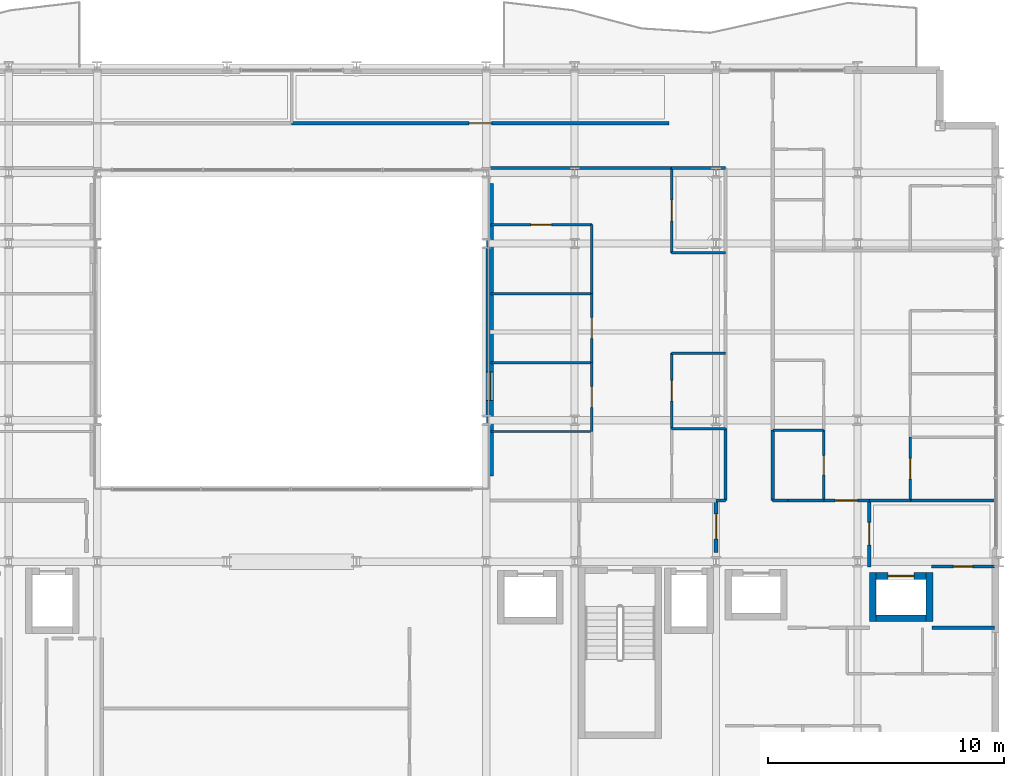
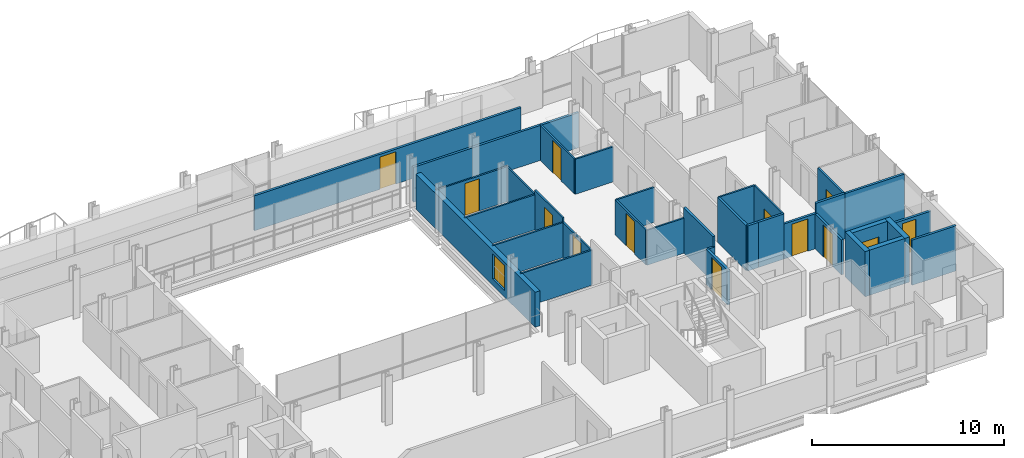
# One storey, part 35 of 41: 35 walls, 13 doors, 1 window, 14 openings.
"""IFC4 building model written with IfcOpenShell, lengths in metres."""

from ifc_helpers import new_model, si_unit, direction, frame, frame_2d, origin, place, context, subcontext, project, spatial, rectangle, extrude, material, layer, layer_set, type_object, element, fill, save


model = new_model("IFC4")

# Units and contexts
model_context = context("Model", 3, precision=1e-05, world=origin(), true_north=direction((0.0, 1.0)))
body_context = subcontext(model_context, "Body", "Model", "MODEL_VIEW")
ifc_project = project(units=[si_unit("LENGTHUNIT", "METRE"), si_unit("AREAUNIT", "SQUARE_METRE"), si_unit("VOLUMEUNIT", "CUBIC_METRE"), si_unit("PLANEANGLEUNIT", "RADIAN"), si_unit("MASSUNIT", "GRAM", prefix="KILO")], contexts=[model_context])

# Site, building, storey
site_placement = place(None, origin())
site = spatial("IfcSite", under=ifc_project, at=site_placement, CompositionType="ELEMENT")
building_placement = place(site_placement, origin())
building = spatial("IfcBuilding", under=site, at=building_placement, Name="Brevholm Reach", CompositionType="ELEMENT")
storey_placement = place(building_placement, frame((0.0, 0.0, 74.5)))
storey = spatial("IfcBuildingStorey", under=building, at=storey_placement, Name="L21", CompositionType="ELEMENT", Elevation=74.5)

# Walls
ifc_material_1 = material(Name="Concrete C50/60", Category="concrete")
ifc_layer_1 = layer(ifc_material_1, 0.280029296875)
ifc_layer_set_1 = layer_set([ifc_layer_1], Name="Concrete C50/60")
wall_type_1 = type_object("IfcWallType", Name="WAL-COR-280", PredefinedType="SHEAR", material=ifc_layer_set_1)
for number, where, z_axis, x_axis, name in (
    (1, (54.64990234375, 7.4599609375, 0.0), (0.0, 0.0, 1.0), (0.0, 1.0, 0.0), "L21 Lift PL-L2 Shaft Wall W"),
    (2, (57.050048828125, 7.4599609375, 0.0), (0.0, 0.0, 1.0), (0.0, 1.0, 0.0), "L21 Lift PL-L2 Shaft Wall E"),
):
    element("IfcWall", number, at=place(storey_placement, frame(where, z_axis=z_axis, x_axis=x_axis)), inside=storey, type_object=wall_type_1, Name=name, PredefinedType="SHEAR", context=body_context, shape_type="SweptSolid", body=[
        extrude(rectangle(XDim=2.080078125, YDim=0.280029296875, at=frame_2d((1.0400390625, 0.0))), origin(), (0.0, 0.0, 1.0), 2.8701171875),
    ])
wall_1_placement = place(storey_placement, frame((54.7900390625, 7.60009765625, 0.0), z_axis=(0.0, 0.0, 1.0), x_axis=(1.0, 0.0, 0.0)))
element("IfcWall", 3, at=wall_1_placement, inside=storey, type_object=wall_type_1, Name="L21 Lift PL-L2 Shaft Wall S", PredefinedType="SHEAR", context=body_context, shape_type="SweptSolid", body=[
    extrude(rectangle(XDim=2.119873046875, YDim=0.280029296875, at=frame_2d((1.06005859375, 0.0))), origin(), (0.0, 0.0, 1.0), 2.8701171875),
])

# Wall, opening, door
wall_2_placement = place(storey_placement, frame((54.7900390625, 9.39990234375, 0.0), z_axis=(0.0, 0.0, 1.0), x_axis=(1.0, 0.0, 0.0)))
wall_2 = element("IfcWall", 4, at=wall_2_placement, inside=storey, type_object=wall_type_1, Name="L21 Lift PL-L2 Shaft Wall N", PredefinedType="SHEAR", context=body_context, shape_type="SweptSolid", body=[
    extrude(rectangle(XDim=2.119873046875, YDim=0.280029296875, at=frame_2d((1.06005859375, 0.0))), origin(), (0.0, 0.0, 1.0), 2.8701171875),
])
opening_1_placement = place(wall_2_placement, frame((0.510009765625, 0.0, 0.0)))
opening_1 = element("IfcOpeningElement", 5, at=opening_1_placement, cuts=wall_2, Name="Opening LD-PL-L2", PredefinedType="OPENING", context=body_context, shape_type="SweptSolid", body=[
    extrude(rectangle(XDim=1.10009765625, YDim=2.06005859375, at=frame_2d((0.550048828125, 1.030029296875))), frame((0.0, 0.14990234375, 0.0), z_axis=(0.0, -1.0, 0.0), x_axis=(1.0, 0.0, 0.0)), (0.0, 0.0, 1.0), 0.300048828125),
])
ifc_material_2 = material(Name="Brushed Stainless Steel Fire-Rated Sliding Lift Door", Category="steel")
door_type_1 = type_object("IfcDoorType", Name="DOR-LFT-1100", OperationType="NOTDEFINED", PredefinedType="DOOR", material=ifc_material_2)
door_1_placement = place(opening_1_placement, origin())
door_1 = element("IfcDoor", 6, at=door_1_placement, inside=storey, type_object=door_type_1, Name="L21 Lift PL-L2 Sliding Landing Door", OperationType="SLIDING_TO_RIGHT", OverallHeight=2.06005859375, OverallWidth=1.10009765625, PredefinedType="DOOR", context=body_context, shape_type="SweptSolid", body=[
    extrude(rectangle(XDim=1.10009765625, YDim=2.06005859375, at=frame_2d((0.550048828125, 1.030029296875))), frame((0.0, 0.02490234375, 0.0), z_axis=(0.0, -1.0, 0.0), x_axis=(1.0, 0.0, 0.0)), (0.0, 0.0, 1.0), 0.050048828125),
])
fill(opening_1, door_1)

# Wall, opening, window
ifc_material_3 = material(Name="Concrete C40/50", Category="concrete")
ifc_layer_2 = layer(ifc_material_3, 0.300048828125)
ifc_layer_set_2 = layer_set([ifc_layer_2], Name="Concrete C40/50")
wall_type_2 = type_object("IfcWallType", Name="WAL-EXT-300", PredefinedType="STANDARD", material=ifc_layer_set_2)
wall_3_placement = place(storey_placement, frame((38.39990234375, 13.64990234375, 0.0), z_axis=(0.0, 0.0, 1.0), x_axis=(0.0, 1.0, 0.0)))
wall_3 = element("IfcWall", 7, at=wall_3_placement, inside=storey, type_object=wall_type_2, Name="L21 Facade Wall WAL-L21-AT-E", PredefinedType="STANDARD", context=body_context, shape_type="SweptSolid", body=[
    extrude(rectangle(XDim=12.400146484375, YDim=0.300048828125, at=frame_2d((6.2001953125, 0.0))), origin(), (0.0, 0.0, 1.0), 2.224853515625),
])
opening_2_placement = place(wall_3_placement, frame((3.199951171875, 0.0, 0.405029296875)))
opening_2 = element("IfcOpeningElement", 8, at=opening_2_placement, cuts=wall_3, Name="Opening WN-08", PredefinedType="OPENING", context=body_context, shape_type="SweptSolid", body=[
    extrude(rectangle(XDim=1.199951171875, YDim=1.60009765625, at=frame_2d((0.60009765625, 0.800048828125))), frame((0.0, 0.159912109375, 0.0), z_axis=(0.0, -1.0, 0.0), x_axis=(1.0, 0.0, 0.0)), (0.0, 0.0, 1.0), 0.320068359375),
])
ifc_material_4 = material(Name="Dark Anodised Aluminium and Solar-Control IGU Glass", Category="aluminium")
window_type = type_object("IfcWindowType", Name="WIN-RES-1200", PartitioningType="SINGLE_PANEL", PredefinedType="WINDOW", material=ifc_material_4)
window_placement = place(opening_2_placement, origin())
window = element("IfcWindow", 9, at=window_placement, inside=storey, type_object=window_type, Name="L21 Window WIN-L21-AT-E1", OverallHeight=1.60009765625, OverallWidth=1.199951171875, PartitioningType="SINGLE_PANEL", PredefinedType="WINDOW", context=body_context, shape_type="SweptSolid", body=[
    extrude(rectangle(XDim=1.199951171875, YDim=1.60009765625, at=frame_2d((0.60009765625, 0.800048828125))), frame((0.0, 0.030029296875, 0.0), z_axis=(0.0, -1.0, 0.0), x_axis=(1.0, 0.0, 0.0)), (0.0, 0.0, 1.0), 0.06005859375),
])
fill(opening_2, window)

# Walls
ifc_material_5 = material(Name="Moisture-Resistant Acoustic Gypsum Stud Partition 100 mm", Category="gypsum")
ifc_layer_3 = layer(ifc_material_5, 0.10009765625)
ifc_layer_set_3 = layer_set([ifc_layer_3], Name="Moisture-Resistant Acoustic Gypsum Stud Partition 100 mm")
wall_type_3 = type_object("IfcWallType", Name="WAL-PRT-100", PredefinedType="PARTITIONING", material=ifc_layer_set_3)
for number, where, z_axis, x_axis, name in (
    (10, (46.112060546875, 15.64990234375, 0.0), (0.0, 0.0, 1.0), (1.0, 0.0, 0.0), "L21 Internal Partition 120"),
    (11, (46.112060546875, 18.85009765625, 0.0), (0.0, 0.0, 1.0), (1.0, 0.0, 0.0), "L21 Internal Partition 122"),
):
    element("IfcWall", number, at=place(storey_placement, frame(where, z_axis=z_axis, x_axis=x_axis)), inside=storey, type_object=wall_type_3, Name=name, PredefinedType="PARTITIONING", context=body_context, shape_type="SweptSolid", body=[
        extrude(rectangle(XDim=2.283935546875, YDim=0.10009765625, at=frame_2d((1.14208984375, 0.0))), origin(), (0.0, 0.0, 1.0), 2.224853515625),
    ])

# Wall, opening, door
wall_4_placement = place(storey_placement, frame((46.112060546875, 15.654052734375, 0.0), z_axis=(0.0, 0.0, 1.0), x_axis=(0.0, 1.0, 0.0)))
wall_4 = element("IfcWall", 12, at=wall_4_placement, inside=storey, type_object=wall_type_3, Name="L21 Internal Partition 123", PredefinedType="PARTITIONING", context=body_context, shape_type="SweptSolid", body=[
    extrude(rectangle(XDim=3.196044921875, YDim=0.10009765625, at=frame_2d((1.59814453125, 0.0))), origin(), (0.0, 0.0, 1.0), 2.224853515625),
])
opening_3_placement = place(wall_4_placement, frame((1.157958984375, 0.0, 0.0)))
opening_3 = element("IfcOpeningElement", 13, at=opening_3_placement, cuts=wall_4, Name="Opening ID-01", PredefinedType="OPENING", context=body_context, shape_type="SweptSolid", body=[
    extrude(rectangle(XDim=0.8798828125, YDim=2.0400390625, at=frame_2d((0.43994140625, 1.02001953125))), frame((0.0, 0.06005859375, 0.0), z_axis=(0.0, -1.0, 0.0), x_axis=(1.0, 0.0, 0.0)), (0.0, 0.0, 1.0), 0.1201171875),
])
ifc_material_6 = material(Name="Lacquered Ash Solid-Core Acoustic Internal Door", Category="timber")
door_type_2 = type_object("IfcDoorType", Name="DOR-INT-880", OperationType="NOTDEFINED", PredefinedType="DOOR", material=ifc_material_6)
door_2_placement = place(opening_3_placement, origin())
door_2 = element("IfcDoor", 14, at=door_2_placement, inside=storey, type_object=door_type_2, Name="L21 Internal Door 046", OperationType="SINGLE_SWING_RIGHT", OverallHeight=2.0400390625, OverallWidth=0.8798828125, PredefinedType="DOOR", context=body_context, shape_type="SweptSolid", body=[
    extrude(rectangle(XDim=0.8798828125, YDim=2.0400390625, at=frame_2d((0.43994140625, 1.02001953125))), frame((0.0, 0.02490234375, 0.0), z_axis=(0.0, -1.0, 0.0), x_axis=(1.0, 0.0, 0.0)), (0.0, 0.0, 1.0), 0.050048828125),
])
fill(opening_3, door_2)

# Wall
wall_5_placement = place(storey_placement, frame((46.112060546875, 23.10009765625, 0.0), z_axis=(0.0, 0.0, 1.0), x_axis=(1.0, 0.0, 0.0)))
element("IfcWall", 15, at=wall_5_placement, inside=storey, type_object=wall_type_3, Name="L21 Internal Partition 124", PredefinedType="PARTITIONING", context=body_context, shape_type="SweptSolid", body=[
    extrude(rectangle(XDim=2.283935546875, YDim=0.10009765625, at=frame_2d((1.14208984375, 0.0))), origin(), (0.0, 0.0, 1.0), 2.224853515625),
])

# Wall, opening, door
wall_6_placement = place(storey_placement, frame((46.112060546875, 23.10009765625, 0.0), z_axis=(0.0, 0.0, 1.0), x_axis=(0.0, 1.0, 0.0)))
wall_6 = element("IfcWall", 16, at=wall_6_placement, inside=storey, type_object=wall_type_3, Name="L21 Internal Partition 125", PredefinedType="PARTITIONING", context=body_context, shape_type="SweptSolid", body=[
    extrude(rectangle(XDim=3.595947265625, YDim=0.10009765625, at=frame_2d((1.7978515625, 0.0))), origin(), (0.0, 0.0, 1.0), 2.224853515625),
])
opening_4_placement = place(wall_6_placement, frame((1.35791015625, 0.0, 0.0)))
opening_4 = element("IfcOpeningElement", 17, at=opening_4_placement, cuts=wall_6, Name="Opening ID-01", PredefinedType="OPENING", context=body_context, shape_type="SweptSolid", body=[
    extrude(rectangle(XDim=0.8798828125, YDim=2.0400390625, at=frame_2d((0.43994140625, 1.02001953125))), frame((0.0, 0.06005859375, 0.0), z_axis=(0.0, -1.0, 0.0), x_axis=(1.0, 0.0, 0.0)), (0.0, 0.0, 1.0), 0.1201171875),
])
door_3_placement = place(opening_4_placement, origin())
door_3 = element("IfcDoor", 18, at=door_3_placement, inside=storey, type_object=door_type_2, Name="L21 Internal Door 047", OperationType="SINGLE_SWING_LEFT", OverallHeight=2.0400390625, OverallWidth=0.8798828125, PredefinedType="DOOR", context=body_context, shape_type="SweptSolid", body=[
    extrude(rectangle(XDim=0.8798828125, YDim=2.0400390625, at=frame_2d((0.43994140625, 1.02001953125))), frame((0.0, 0.02490234375, 0.0), z_axis=(0.0, -1.0, 0.0), x_axis=(1.0, 0.0, 0.0)), (0.0, 0.0, 1.0), 0.050048828125),
])
fill(opening_4, door_3)

# Walls
for number, where, z_axis, x_axis, name in (
    (19, (38.449951171875, 15.52490234375, 0.0), (0.0, 0.0, 1.0), (1.0, 0.0, 0.0), "L21 Internal Partition 126"),
    (20, (38.449951171875, 18.449951171875, 0.0), (0.0, 0.0, 1.0), (1.0, 0.0, 0.0), "L21 Internal Partition 128"),
):
    element("IfcWall", number, at=place(storey_placement, frame(where, z_axis=z_axis, x_axis=x_axis)), inside=storey, type_object=wall_type_3, Name=name, PredefinedType="PARTITIONING", context=body_context, shape_type="SweptSolid", body=[
        extrude(rectangle(XDim=4.278076171875, YDim=0.10009765625, at=frame_2d((2.13916015625, 0.0))), origin(), (0.0, 0.0, 1.0), 2.224853515625),
    ])

# Wall, opening, door
wall_7_placement = place(storey_placement, frame((42.72802734375, 15.529052734375, 0.0), z_axis=(0.0, 0.0, 1.0), x_axis=(0.0, 1.0, 0.0)))
wall_7 = element("IfcWall", 21, at=wall_7_placement, inside=storey, type_object=wall_type_3, Name="L21 Internal Partition 129", PredefinedType="PARTITIONING", context=body_context, shape_type="SweptSolid", body=[
    extrude(rectangle(XDim=2.9208984375, YDim=0.10009765625, at=frame_2d((1.46044921875, 0.0))), origin(), (0.0, 0.0, 1.0), 2.224853515625),
])
opening_5_placement = place(wall_7_placement, frame((1.0205078125, 0.0, 0.0)))
opening_5 = element("IfcOpeningElement", 22, at=opening_5_placement, cuts=wall_7, Name="Opening ID-01", PredefinedType="OPENING", context=body_context, shape_type="SweptSolid", body=[
    extrude(rectangle(XDim=0.8798828125, YDim=2.0400390625, at=frame_2d((0.43994140625, 1.02001953125))), frame((0.0, 0.06005859375, 0.0), z_axis=(0.0, -1.0, 0.0), x_axis=(1.0, 0.0, 0.0)), (0.0, 0.0, 1.0), 0.1201171875),
])
door_4_placement = place(opening_5_placement, origin())
door_4 = element("IfcDoor", 23, at=door_4_placement, inside=storey, type_object=door_type_2, Name="L21 Internal Door 049", OperationType="SINGLE_SWING_LEFT", OverallHeight=2.0400390625, OverallWidth=0.8798828125, PredefinedType="DOOR", context=body_context, shape_type="SweptSolid", body=[
    extrude(rectangle(XDim=0.8798828125, YDim=2.0400390625, at=frame_2d((0.43994140625, 1.02001953125))), frame((0.0, 0.02490234375, 0.0), z_axis=(0.0, -1.0, 0.0), x_axis=(1.0, 0.0, 0.0)), (0.0, 0.0, 1.0), 0.050048828125),
])
fill(opening_5, door_4)

# Wall
wall_8_placement = place(storey_placement, frame((38.449951171875, 21.375, 0.0), z_axis=(0.0, 0.0, 1.0), x_axis=(1.0, 0.0, 0.0)))
element("IfcWall", 24, at=wall_8_placement, inside=storey, type_object=wall_type_3, Name="L21 Internal Partition 130", PredefinedType="PARTITIONING", context=body_context, shape_type="SweptSolid", body=[
    extrude(rectangle(XDim=4.278076171875, YDim=0.10009765625, at=frame_2d((2.13916015625, 0.0))), origin(), (0.0, 0.0, 1.0), 2.224853515625),
])

# Wall, opening, door
wall_9_placement = place(storey_placement, frame((42.72802734375, 18.4541015625, 0.0), z_axis=(0.0, 0.0, 1.0), x_axis=(0.0, 1.0, 0.0)))
wall_9 = element("IfcWall", 25, at=wall_9_placement, inside=storey, type_object=wall_type_3, Name="L21 Internal Partition 131", PredefinedType="PARTITIONING", context=body_context, shape_type="SweptSolid", body=[
    extrude(rectangle(XDim=2.9208984375, YDim=0.10009765625, at=frame_2d((1.46044921875, 0.0))), origin(), (0.0, 0.0, 1.0), 2.489990234375),
])
opening_6_placement = place(wall_9_placement, frame((1.0205078125, 0.0, 0.0)))
opening_6 = element("IfcOpeningElement", 26, at=opening_6_placement, cuts=wall_9, Name="Opening ID-01", PredefinedType="OPENING", context=body_context, shape_type="SweptSolid", body=[
    extrude(rectangle(XDim=0.8798828125, YDim=2.0400390625, at=frame_2d((0.43994140625, 1.02001953125))), frame((0.0, 0.06005859375, 0.0), z_axis=(0.0, -1.0, 0.0), x_axis=(1.0, 0.0, 0.0)), (0.0, 0.0, 1.0), 0.1201171875),
])
door_5_placement = place(opening_6_placement, origin())
door_5 = element("IfcDoor", 27, at=door_5_placement, inside=storey, type_object=door_type_2, Name="L21 Internal Door 050", OperationType="SINGLE_SWING_RIGHT", OverallHeight=2.0400390625, OverallWidth=0.8798828125, PredefinedType="DOOR", context=body_context, shape_type="SweptSolid", body=[
    extrude(rectangle(XDim=0.8798828125, YDim=2.0400390625, at=frame_2d((0.43994140625, 1.02001953125))), frame((0.0, 0.02490234375, 0.0), z_axis=(0.0, -1.0, 0.0), x_axis=(1.0, 0.0, 0.0)), (0.0, 0.0, 1.0), 0.050048828125),
])
fill(opening_6, door_5)

# Wall
wall_10_placement = place(storey_placement, frame((42.72802734375, 21.37890625, 0.0), z_axis=(0.0, 0.0, 1.0), x_axis=(0.0, 1.0, 0.0)))
element("IfcWall", 28, at=wall_10_placement, inside=storey, type_object=wall_type_3, Name="L21 Internal Partition 132", PredefinedType="PARTITIONING", context=body_context, shape_type="SweptSolid", body=[
    extrude(rectangle(XDim=2.921142578125, YDim=0.10009765625, at=frame_2d((1.46044921875, 0.0))), origin(), (0.0, 0.0, 1.0), 2.224853515625),
])

# Wall, opening, door
wall_11_placement = place(storey_placement, frame((38.449951171875, 24.300048828125, 0.0), z_axis=(0.0, 0.0, 1.0), x_axis=(1.0, 0.0, 0.0)))
wall_11 = element("IfcWall", 29, at=wall_11_placement, inside=storey, type_object=wall_type_3, Name="L21 Internal Partition 133", PredefinedType="PARTITIONING", context=body_context, shape_type="SweptSolid", body=[
    extrude(rectangle(XDim=4.278076171875, YDim=0.10009765625, at=frame_2d((2.13916015625, 0.0))), origin(), (0.0, 0.0, 1.0), 2.224853515625),
])
opening_7_placement = place(wall_11_placement, frame((1.698974609375, 0.0, 0.0)))
opening_7 = element("IfcOpeningElement", 30, at=opening_7_placement, cuts=wall_11, Name="Opening ID-01", PredefinedType="OPENING", context=body_context, shape_type="SweptSolid", body=[
    extrude(rectangle(XDim=0.8798828125, YDim=2.0400390625, at=frame_2d((0.43994140625, 1.02001953125))), frame((0.0, 0.06005859375, 0.0), z_axis=(0.0, -1.0, 0.0), x_axis=(1.0, 0.0, 0.0)), (0.0, 0.0, 1.0), 0.1201171875),
])
door_6_placement = place(opening_7_placement, origin())
door_6 = element("IfcDoor", 31, at=door_6_placement, inside=storey, type_object=door_type_2, Name="L21 Internal Door 051", OperationType="SINGLE_SWING_LEFT", OverallHeight=2.0400390625, OverallWidth=0.8798828125, PredefinedType="DOOR", context=body_context, shape_type="SweptSolid", body=[
    extrude(rectangle(XDim=0.8798828125, YDim=2.0400390625, at=frame_2d((0.43994140625, 1.02001953125))), frame((0.0, 0.02490234375, 0.0), z_axis=(0.0, -1.0, 0.0), x_axis=(1.0, 0.0, 0.0)), (0.0, 0.0, 1.0), 0.050048828125),
])
fill(opening_7, door_6)

# Wall
wall_12_placement = place(storey_placement, frame((50.404052734375, 15.58203125, 0.0), z_axis=(0.0, 0.0, 1.0), x_axis=(1.0, 0.0, 0.0)))
element("IfcWall", 32, at=wall_12_placement, inside=storey, type_object=wall_type_3, Name="L21 Internal Partition 134", PredefinedType="PARTITIONING", context=body_context, shape_type="SweptSolid", body=[
    extrude(rectangle(XDim=2.157958984375, YDim=0.10009765625, at=frame_2d((1.0791015625, 0.0))), origin(), (0.0, 0.0, 1.0), 2.8701171875),
])

# Wall, opening, door
wall_13_placement = place(storey_placement, frame((52.56201171875, 12.60400390625, 0.0), z_axis=(0.0, 0.0, 1.0), x_axis=(0.0, 1.0, 0.0)))
wall_13 = element("IfcWall", 33, at=wall_13_placement, inside=storey, type_object=wall_type_3, Name="L21 Internal Partition 135", PredefinedType="PARTITIONING", context=body_context, shape_type="SweptSolid", body=[
    extrude(rectangle(XDim=2.97802734375, YDim=0.10009765625, at=frame_2d((1.489013671875, 0.0))), origin(), (0.0, 0.0, 1.0), 2.8701171875),
])
opening_8_placement = place(wall_13_placement, frame((1.0791015625, 0.0, 0.0)))
opening_8 = element("IfcOpeningElement", 34, at=opening_8_placement, cuts=wall_13, Name="Opening ID-03", PredefinedType="OPENING", context=body_context, shape_type="SweptSolid", body=[
    extrude(rectangle(XDim=0.820068359375, YDim=2.02001953125, at=frame_2d((0.41015625, 1.010009765625))), frame((0.0, 0.06005859375, 0.0), z_axis=(0.0, -1.0, 0.0), x_axis=(1.0, 0.0, 0.0)), (0.0, 0.0, 1.0), 0.1201171875),
])
ifc_material_7 = material(Name="Moisture-Resistant Painted Timber Internal Bathroom Door", Category="wood")
door_type_3 = type_object("IfcDoorType", Name="DOR-BATH-820", OperationType="NOTDEFINED", PredefinedType="DOOR", material=ifc_material_7)
door_7_placement = place(opening_8_placement, origin())
door_7 = element("IfcDoor", 35, at=door_7_placement, inside=storey, type_object=door_type_3, Name="L21 Internal Door 052", OperationType="SINGLE_SWING_RIGHT", OverallHeight=2.02001953125, OverallWidth=0.820068359375, PredefinedType="DOOR", context=body_context, shape_type="SweptSolid", body=[
    extrude(rectangle(XDim=0.820068359375, YDim=2.02001953125, at=frame_2d((0.41015625, 1.010009765625))), frame((0.0, 0.02490234375, 0.0), z_axis=(0.0, -1.0, 0.0), x_axis=(1.0, 0.0, 0.0)), (0.0, 0.0, 1.0), 0.050048828125),
])
fill(opening_8, door_7)

wall_14_placement = place(storey_placement, frame((56.22802734375, 12.60400390625, 0.0), z_axis=(0.0, 0.0, 1.0), x_axis=(0.0, 1.0, 0.0)))
wall_14 = element("IfcWall", 36, at=wall_14_placement, inside=storey, type_object=wall_type_3, Name="L21 Internal Partition 139", PredefinedType="PARTITIONING", context=body_context, shape_type="SweptSolid", body=[
    extrude(rectangle(XDim=2.680908203125, YDim=0.10009765625, at=frame_2d((1.34033203125, 0.0))), origin(), (0.0, 0.0, 1.0), 2.8701171875),
])
opening_9_placement = place(wall_14_placement, frame((0.900390625, 0.0, 0.0)))
opening_9 = element("IfcOpeningElement", 37, at=opening_9_placement, cuts=wall_14, Name="Opening ID-01", PredefinedType="OPENING", context=body_context, shape_type="SweptSolid", body=[
    extrude(rectangle(XDim=0.8798828125, YDim=2.0400390625, at=frame_2d((0.43994140625, 1.02001953125))), frame((0.0, 0.06005859375, 0.0), z_axis=(0.0, -1.0, 0.0), x_axis=(1.0, 0.0, 0.0)), (0.0, 0.0, 1.0), 0.1201171875),
])
door_8_placement = place(opening_9_placement, origin())
door_8 = element("IfcDoor", 38, at=door_8_placement, inside=storey, type_object=door_type_2, Name="L21 Internal Door 054", OperationType="SINGLE_SWING_RIGHT", OverallHeight=2.0400390625, OverallWidth=0.8798828125, PredefinedType="DOOR", context=body_context, shape_type="SweptSolid", body=[
    extrude(rectangle(XDim=0.8798828125, YDim=2.0400390625, at=frame_2d((0.43994140625, 1.02001953125))), frame((0.0, 0.02490234375, 0.0), z_axis=(0.0, -1.0, 0.0), x_axis=(1.0, 0.0, 0.0)), (0.0, 0.0, 1.0), 0.050048828125),
])
fill(opening_9, door_8)

ifc_material_8 = material(Name="Twin-Stud Acoustic Fire-Rated Gypsum Partition 140 mm", Category="gypsum")
ifc_layer_4 = layer(ifc_material_8, 0.139892578125)
ifc_layer_set_4 = layer_set([ifc_layer_4], Name="Twin-Stud Acoustic Fire-Rated Gypsum Partition 140 mm")
wall_type_4 = type_object("IfcWallType", Name="WAL-PRT-140", PredefinedType="PARTITIONING", material=ifc_layer_set_4)
wall_15_placement = place(storey_placement, frame((54.5, 9.788818359375, 0.0), z_axis=(0.0, 0.0, 1.0), x_axis=(0.0, 1.0, 0.0)))
wall_15 = element("IfcWall", 39, at=wall_15_placement, inside=storey, type_object=wall_type_4, Name="L21 Internal Partition 009", PredefinedType="PARTITIONING", context=body_context, shape_type="SweptSolid", body=[
    extrude(rectangle(XDim=2.811279296875, YDim=0.139892578125, at=frame_2d((1.40576171875, 0.0))), origin(), (0.0, 0.0, 1.0), 2.224853515625),
])
opening_10_placement = place(wall_15_placement, frame((0.9306640625, 0.0, 0.0)))
opening_10 = element("IfcOpeningElement", 40, at=opening_10_placement, cuts=wall_15, Name="Opening ID-30", PredefinedType="OPENING", context=body_context, shape_type="SweptSolid", body=[
    extrude(rectangle(XDim=0.949951171875, YDim=2.050048828125, at=frame_2d((0.47509765625, 1.02490234375))), frame((0.0, 0.079833984375, 0.0), z_axis=(0.0, -1.0, 0.0), x_axis=(1.0, 0.0, 0.0)), (0.0, 0.0, 1.0), 0.159912109375),
])
ifc_material_9 = material(Name="European Oak Veneered Solid-Core Fire Entrance Door", Category="timber")
door_type_4 = type_object("IfcDoorType", Name="DOR-FLT-FD30S", OperationType="NOTDEFINED", PredefinedType="DOOR", material=ifc_material_9)
door_9_placement = place(opening_10_placement, origin())
door_9 = element("IfcDoor", 41, at=door_9_placement, inside=storey, type_object=door_type_4, Name="L21 Internal Door 005", OperationType="SINGLE_SWING_LEFT", OverallHeight=2.050048828125, OverallWidth=0.949951171875, PredefinedType="DOOR", context=body_context, shape_type="SweptSolid", body=[
    extrude(rectangle(XDim=0.949951171875, YDim=2.050048828125, at=frame_2d((0.47509765625, 1.02490234375))), frame((0.0, 0.02490234375, 0.0), z_axis=(0.0, -1.0, 0.0), x_axis=(1.0, 0.0, 0.0)), (0.0, 0.0, 1.0), 0.050048828125),
])
fill(opening_10, door_9)

# Wall
wall_16_placement = place(storey_placement, frame((51.050048828125, 12.60009765625, 0.0), z_axis=(0.0, 0.0, 1.0), x_axis=(1.0, 0.0, 0.0)))
element("IfcWall", 42, at=wall_16_placement, inside=storey, type_object=wall_type_4, Name="L21 Internal Partition 012", PredefinedType="PARTITIONING", context=body_context, shape_type="SweptSolid", body=[
    extrude(rectangle(XDim=1.523193359375, YDim=0.139892578125, at=frame_2d((0.76171875, 0.0))), origin(), (0.0, 0.0, 1.0), 2.8701171875),
])

# Wall, opening, door
wall_17_placement = place(storey_placement, frame((52.5546875, 12.60009765625, 0.0), z_axis=(0.0, 0.0, 1.0), x_axis=(1.0, 0.0, 0.0)))
wall_17 = element("IfcWall", 43, at=wall_17_placement, inside=storey, type_object=wall_type_4, Name="L21 Internal Partition 013", PredefinedType="PARTITIONING", context=body_context, shape_type="SweptSolid", body=[
    extrude(rectangle(XDim=1.9453125, YDim=0.139892578125, at=frame_2d((0.97265625, 0.0))), origin(), (0.0, 0.0, 1.0), 2.224853515625),
])
opening_11_placement = place(wall_17_placement, frame((0.497802734375, 0.0, 0.0)))
opening_11 = element("IfcOpeningElement", 44, at=opening_11_placement, cuts=wall_17, Name="Opening ID-30", PredefinedType="OPENING", context=body_context, shape_type="SweptSolid", body=[
    extrude(rectangle(XDim=0.949951171875, YDim=2.050048828125, at=frame_2d((0.47509765625, 1.02490234375))), frame((0.0, 0.079833984375, 0.0), z_axis=(0.0, -1.0, 0.0), x_axis=(1.0, 0.0, 0.0)), (0.0, 0.0, 1.0), 0.159912109375),
])
door_10_placement = place(opening_11_placement, origin())
door_10 = element("IfcDoor", 45, at=door_10_placement, inside=storey, type_object=door_type_4, Name="L21 Internal Door 007", OperationType="SINGLE_SWING_LEFT", OverallHeight=2.050048828125, OverallWidth=0.949951171875, PredefinedType="DOOR", context=body_context, shape_type="SweptSolid", body=[
    extrude(rectangle(XDim=0.949951171875, YDim=2.050048828125, at=frame_2d((0.47509765625, 1.02490234375))), frame((0.0, 0.02490234375, 0.0), z_axis=(0.0, -1.0, 0.0), x_axis=(1.0, 0.0, 0.0)), (0.0, 0.0, 1.0), 0.050048828125),
])
fill(opening_11, door_10)

# Walls
wall_18_placement = place(storey_placement, frame((48.00390625, 12.60009765625, 0.0), z_axis=(0.0, 0.0, 1.0), x_axis=(1.0, 0.0, 0.0)))
element("IfcWall", 46, at=wall_18_placement, inside=storey, type_object=wall_type_4, Name="L21 Internal Partition 032", PredefinedType="PARTITIONING", context=body_context, shape_type="SweptSolid", body=[
    extrude(rectangle(XDim=0.4033203125, YDim=0.139892578125, at=frame_2d((0.20166015625, 0.0))), origin(), (0.0, 0.0, 1.0), 2.224853515625),
])
wall_19_placement = place(storey_placement, frame((50.392578125, 12.60009765625, 0.0), z_axis=(0.0, 0.0, 1.0), x_axis=(1.0, 0.0, 0.0)))
element("IfcWall", 47, at=wall_19_placement, inside=storey, type_object=wall_type_4, Name="L21 Internal Partition 033", PredefinedType="PARTITIONING", context=body_context, shape_type="SweptSolid", body=[
    extrude(rectangle(XDim=0.6533203125, YDim=0.139892578125, at=frame_2d((0.32666015625, 0.0))), origin(), (0.0, 0.0, 1.0), 2.8701171875),
])
wall_20_placement = place(storey_placement, frame((48.39990234375, 12.60400390625, 0.0), z_axis=(0.0, 0.0, 1.0), x_axis=(0.0, 1.0, 0.0)))
element("IfcWall", 48, at=wall_20_placement, inside=storey, type_object=wall_type_4, Name="L21 Internal Partition 044", PredefinedType="PARTITIONING", context=body_context, shape_type="SweptSolid", body=[
    extrude(rectangle(XDim=3.057373046875, YDim=0.139892578125, at=frame_2d((1.52880859375, 0.0))), origin(), (0.0, 0.0, 1.0), 2.8701171875),
])
wall_21_placement = place(storey_placement, frame((50.39990234375, 12.60400390625, 0.0), z_axis=(0.0, 0.0, 1.0), x_axis=(0.0, 1.0, 0.0)))
element("IfcWall", 49, at=wall_21_placement, inside=storey, type_object=wall_type_4, Name="L21 Internal Partition 048", PredefinedType="PARTITIONING", context=body_context, shape_type="SweptSolid", body=[
    extrude(rectangle(XDim=2.9892578125, YDim=0.139892578125, at=frame_2d((1.49462890625, 0.0))), origin(), (0.0, 0.0, 1.0), 2.8701171875),
])
wall_22_placement = place(storey_placement, frame((46.1005859375, 26.699951171875, 0.0), z_axis=(0.0, 0.0, 1.0), x_axis=(1.0, 0.0, 0.0)))
element("IfcWall", 50, at=wall_22_placement, inside=storey, type_object=wall_type_4, Name="L21 Internal Partition 056", PredefinedType="PARTITIONING", context=body_context, shape_type="SweptSolid", body=[
    extrude(rectangle(XDim=2.29541015625, YDim=0.139892578125, at=frame_2d((1.147705078125, 0.0))), origin(), (0.0, 0.0, 1.0), 2.224853515625),
])
wall_23_placement = place(storey_placement, frame((38.438720703125, 26.699951171875, 0.0), z_axis=(0.0, 0.0, 1.0), x_axis=(1.0, 0.0, 0.0)))
element("IfcWall", 51, at=wall_23_placement, inside=storey, type_object=wall_type_4, Name="L21 Internal Partition 057", PredefinedType="PARTITIONING", context=body_context, shape_type="SweptSolid", body=[
    extrude(rectangle(XDim=7.6806640625, YDim=0.139892578125, at=frame_2d((3.84033203125, 0.0))), origin(), (0.0, 0.0, 1.0), 2.224853515625),
])

# Wall, opening, door
wall_24_placement = place(storey_placement, frame((29.99267578125, 28.60009765625, 0.0), z_axis=(0.0, 0.0, 1.0), x_axis=(1.0, 0.0, 0.0)))
wall_24 = element("IfcWall", 52, at=wall_24_placement, inside=storey, type_object=wall_type_4, Name="L21 Internal Partition 059", PredefinedType="PARTITIONING", context=body_context, shape_type="SweptSolid", body=[
    extrude(rectangle(XDim=16.0185546875, YDim=0.139892578125, at=frame_2d((8.00927734375, 0.0))), origin(), (0.0, 0.0, 1.0), 2.224853515625),
])
opening_12_placement = place(wall_24_placement, frame((7.5341796875, 0.0, 0.0)))
opening_12 = element("IfcOpeningElement", 53, at=opening_12_placement, cuts=wall_24, Name="Opening ID-30", PredefinedType="OPENING", context=body_context, shape_type="SweptSolid", body=[
    extrude(rectangle(XDim=0.949951171875, YDim=2.050048828125, at=frame_2d((0.47509765625, 1.02490234375))), frame((0.0, 0.079833984375, 0.0), z_axis=(0.0, -1.0, 0.0), x_axis=(1.0, 0.0, 0.0)), (0.0, 0.0, 1.0), 0.159912109375),
])
door_11_placement = place(opening_12_placement, origin())
door_11 = element("IfcDoor", 54, at=door_11_placement, inside=storey, type_object=door_type_4, Name="L21 Internal Door 020", OperationType="SINGLE_SWING_RIGHT", OverallHeight=2.050048828125, OverallWidth=0.949951171875, PredefinedType="DOOR", context=body_context, shape_type="SweptSolid", body=[
    extrude(rectangle(XDim=0.949951171875, YDim=2.050048828125, at=frame_2d((0.47509765625, 1.02490234375))), frame((0.0, 0.02490234375, 0.0), z_axis=(0.0, -1.0, 0.0), x_axis=(1.0, 0.0, 0.0)), (0.0, 0.0, 1.0), 0.050048828125),
])
fill(opening_12, door_11)

wall_25_placement = place(storey_placement, frame((57.138671875, 9.800048828125, 0.0), z_axis=(0.0, 0.0, 1.0), x_axis=(1.0, 0.0, 0.0)))
wall_25 = element("IfcWall", 55, at=wall_25_placement, inside=storey, type_object=wall_type_4, Name="L21 Internal Partition 075", PredefinedType="PARTITIONING", context=body_context, shape_type="SweptSolid", body=[
    extrude(rectangle(XDim=2.661376953125, YDim=0.139892578125, at=frame_2d((1.33056640625, 0.0))), origin(), (0.0, 0.0, 1.0), 2.224853515625),
])
opening_13_placement = place(wall_25_placement, frame((0.920654296875, 0.0, 0.0)))
opening_13 = element("IfcOpeningElement", 56, at=opening_13_placement, cuts=wall_25, Name="Opening ID-02", PredefinedType="OPENING", context=body_context, shape_type="SweptSolid", body=[
    extrude(rectangle(XDim=0.820068359375, YDim=2.02001953125, at=frame_2d((0.41015625, 1.010009765625))), frame((0.0, 0.079833984375, 0.0), z_axis=(0.0, -1.0, 0.0), x_axis=(1.0, 0.0, 0.0)), (0.0, 0.0, 1.0), 0.159912109375),
])
ifc_material_10 = material(Name="Moisture-Resistant Painted Timber Fire-Rated Riser and Service Door", Category="wood")
door_type_5 = type_object("IfcDoorType", Name="DOR-SRV-820", OperationType="NOTDEFINED", PredefinedType="DOOR", material=ifc_material_10)
door_12_placement = place(opening_13_placement, origin())
door_12 = element("IfcDoor", 57, at=door_12_placement, inside=storey, type_object=door_type_5, Name="L21 Access Door 061", OperationType="SINGLE_SWING_LEFT", OverallHeight=2.02001953125, OverallWidth=0.820068359375, PredefinedType="DOOR", context=body_context, shape_type="SweptSolid", body=[
    extrude(rectangle(XDim=0.820068359375, YDim=2.02001953125, at=frame_2d((0.41015625, 1.010009765625))), frame((0.0, 0.02490234375, 0.0), z_axis=(0.0, -1.0, 0.0), x_axis=(1.0, 0.0, 0.0)), (0.0, 0.0, 1.0), 0.050048828125),
])
fill(opening_13, door_12)

# Walls
wall_26_placement = place(storey_placement, frame((56.216796875, 12.60009765625, 0.0), z_axis=(0.0, 0.0, 1.0), x_axis=(1.0, 0.0, 0.0)))
element("IfcWall", 58, at=wall_26_placement, inside=storey, type_object=wall_type_4, Name="L21 Internal Partition 076", PredefinedType="PARTITIONING", context=body_context, shape_type="SweptSolid", body=[
    extrude(rectangle(XDim=3.583251953125, YDim=0.139892578125, at=frame_2d((1.79150390625, 0.0))), origin(), (0.0, 0.0, 1.0), 2.8701171875),
])
wall_27_placement = place(storey_placement, frame((54.50390625, 12.60009765625, 0.0), z_axis=(0.0, 0.0, 1.0), x_axis=(1.0, 0.0, 0.0)))
element("IfcWall", 59, at=wall_27_placement, inside=storey, type_object=wall_type_4, Name="L21 Internal Partition 077", PredefinedType="PARTITIONING", context=body_context, shape_type="SweptSolid", body=[
    extrude(rectangle(XDim=1.7314453125, YDim=0.139892578125, at=frame_2d((0.86572265625, 0.0))), origin(), (0.0, 0.0, 1.0), 2.8701171875),
])
wall_28_placement = place(storey_placement, frame((57.14990234375, 7.199951171875, 0.0), z_axis=(0.0, 0.0, 1.0), x_axis=(1.0, 0.0, 0.0)))
element("IfcWall", 60, at=wall_28_placement, inside=storey, type_object=wall_type_4, Name="L21 Internal Partition 078", PredefinedType="PARTITIONING", context=body_context, shape_type="SweptSolid", body=[
    extrude(rectangle(XDim=2.650146484375, YDim=0.139892578125, at=frame_2d((1.3251953125, 0.0))), origin(), (0.0, 0.0, 1.0), 2.8701171875),
])

# Wall, opening, door
ifc_material_11 = material(Name="Twin-Frame Fire-Rated Gypsum Board and Mineral Wool 160 mm", Category="gypsum")
ifc_layer_5 = layer(ifc_material_11, 0.159912109375)
ifc_layer_set_5 = layer_set([ifc_layer_5], Name="Twin-Frame Fire-Rated Gypsum Board and Mineral Wool 160 mm")
wall_type_5 = type_object("IfcWallType", Name="WAL-PRT-160", PredefinedType="PARTITIONING", material=ifc_layer_set_5)
wall_29_placement = place(storey_placement, frame((48.0, 10.388671875, 0.0), z_axis=(0.0, 0.0, 1.0), x_axis=(0.0, 1.0, 0.0)))
wall_29 = element("IfcWall", 61, at=wall_29_placement, inside=storey, type_object=wall_type_5, Name="L21 Internal Partition 021", PredefinedType="PARTITIONING", context=body_context, shape_type="SweptSolid", body=[
    extrude(rectangle(XDim=2.21142578125, YDim=0.159912109375, at=frame_2d((1.105712890625, 0.0))), origin(), (0.0, 0.0, 1.0), 2.224853515625),
])
opening_14_placement = place(wall_29_placement, frame((0.58056640625, 0.0, 0.0)))
opening_14 = element("IfcOpeningElement", 62, at=opening_14_placement, cuts=wall_29, Name="Opening FD-01", PredefinedType="OPENING", context=body_context, shape_type="SweptSolid", body=[
    extrude(rectangle(XDim=1.050048828125, YDim=2.06005859375, at=frame_2d((0.52490234375, 1.030029296875))), frame((0.0, 0.08984375, 0.0), z_axis=(0.0, -1.0, 0.0), x_axis=(1.0, 0.0, 0.0)), (0.0, 0.0, 1.0), 0.179931640625),
])
ifc_material_12 = material(Name="Hardwood-Lipped Steel-Core Fire and Smoke Door", Category="steel")
door_type_6 = type_object("IfcDoorType", Name="DOR-INT-FD60S", OperationType="NOTDEFINED", PredefinedType="DOOR", material=ifc_material_12)
door_13_placement = place(opening_14_placement, origin())
door_13 = element("IfcDoor", 63, at=door_13_placement, inside=storey, type_object=door_type_6, Name="L21 Internal Door 011", OperationType="SINGLE_SWING_LEFT", OverallHeight=2.06005859375, OverallWidth=1.050048828125, PredefinedType="DOOR", context=body_context, shape_type="SweptSolid", body=[
    extrude(rectangle(XDim=1.050048828125, YDim=2.06005859375, at=frame_2d((0.52490234375, 1.030029296875))), frame((0.0, 0.02490234375, 0.0), z_axis=(0.0, -1.0, 0.0), x_axis=(1.0, 0.0, 0.0)), (0.0, 0.0, 1.0), 0.050048828125),
])
fill(opening_14, door_13)

save(model, "model.ifc")
